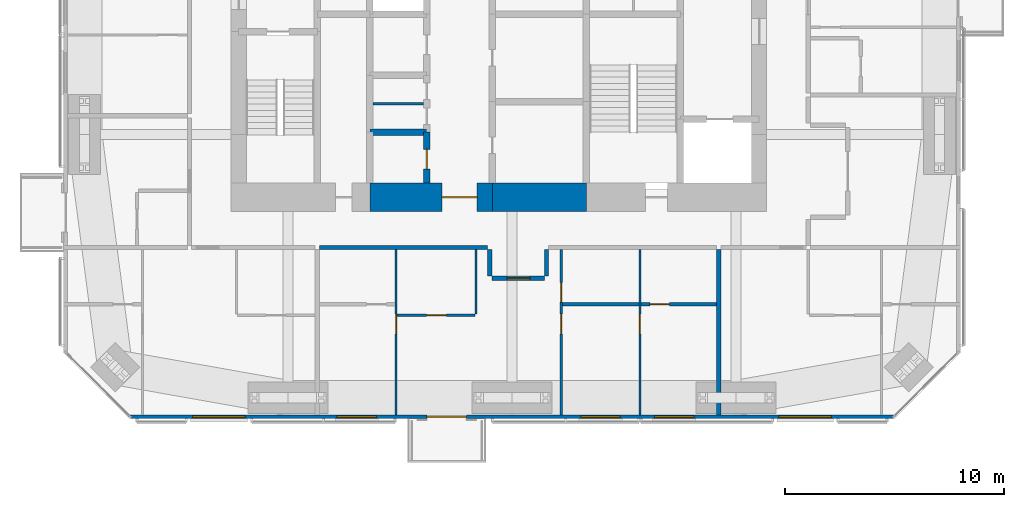
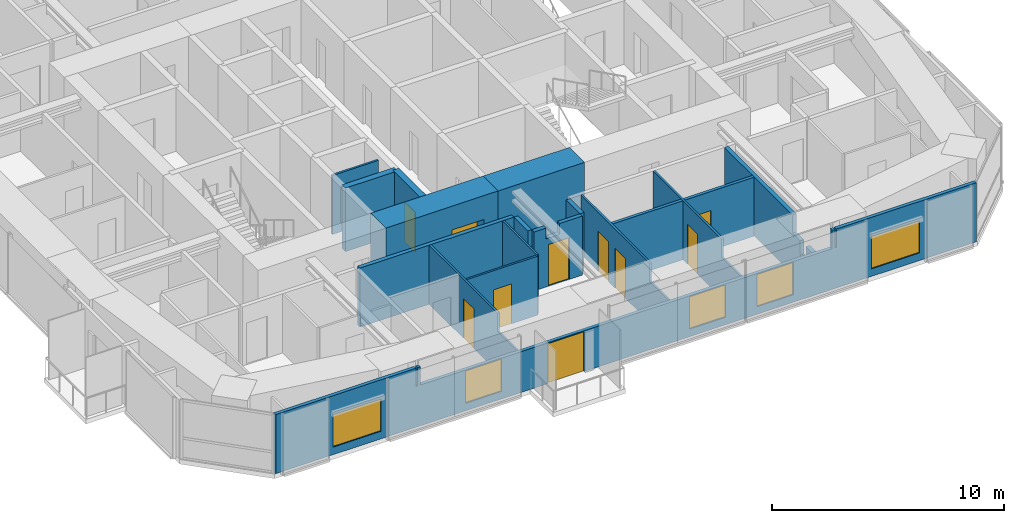
# One storey, part 17 of 23: 18 walls, 10 doors, 5 windows, 15 openings.
"""IFC4 building model written with IfcOpenShell, lengths in metres."""

from ifc_helpers import new_model, si_unit, direction, frame, frame_2d, origin, place, context, subcontext, project, spatial, polyline, rectangle, outline, extrude, material, layer, layer_set, constituent, constituent_set, type_object, element, fill, save


model = new_model("IFC4")

# Units and contexts
model_context = context("Model", 3, precision=1e-05, world=origin(), true_north=direction((0.0, 1.0)))
body_context = subcontext(model_context, "Body", "Model", "MODEL_VIEW")
ifc_project = project(units=[si_unit("LENGTHUNIT", "METRE"), si_unit("AREAUNIT", "SQUARE_METRE"), si_unit("VOLUMEUNIT", "CUBIC_METRE"), si_unit("PLANEANGLEUNIT", "RADIAN"), si_unit("MASSUNIT", "GRAM", prefix="KILO")], contexts=[model_context])

# Site, building, storey
site_placement = place(None, origin())
site = spatial("IfcSite", under=ifc_project, at=site_placement, CompositionType="ELEMENT")
building_placement = place(site_placement, origin())
building = spatial("IfcBuilding", under=site, at=building_placement, Name="Jalousie Tower", CompositionType="ELEMENT")
storey_placement = place(building_placement, frame((0.0, 0.0, 181.14990234375)))
storey = spatial("IfcBuildingStorey", under=building, at=storey_placement, Name="L49", CompositionType="ELEMENT", Elevation=181.14990234375)

# Wall
ifc_material_1 = material(Name="Concrete block ASTM C90", Category="concrete")
ifc_constituent_1 = constituent(ifc_material_1, Name="Body")
ifc_material_2 = material(Name="Render")
ifc_constituent_2 = constituent(ifc_material_2, Name="Finish")
ifc_constituent_set_1 = constituent_set(constituents=[ifc_constituent_1, ifc_constituent_2])
wall_type_1 = type_object("IfcWallType", Name="BATHROOM WALL 150", PredefinedType="PLUMBINGWALL", material=ifc_constituent_set_1)
wall_1_placement = place(storey_placement, frame((34.800048828125, 5.22509765625, 0.0), z_axis=(0.0, 0.0, 1.0), x_axis=(1.0, 0.0, 0.0)))
element("IfcWall", 1, at=wall_1_placement, inside=storey, type_object=wall_type_1, Name="Bathroom Wall 150 L49", PredefinedType="PLUMBINGWALL", context=body_context, shape_type="SweptSolid", body=[
    extrude(rectangle(XDim=3.5, YDim=0.14990234375, at=frame_2d((1.75, 0.0))), origin(), (0.0, 0.0, 1.0), 3.110107421875),
])

# Wall, opening, door
wall_2_placement = place(storey_placement, frame((38.39990234375, 5.22509765625, 0.0), z_axis=(0.0, 0.0, 1.0), x_axis=(1.0, 0.0, 0.0)))
wall_2 = element("IfcWall", 2, at=wall_2_placement, inside=storey, type_object=wall_type_1, Name="Bathroom Wall 150 L49", PredefinedType="PLUMBINGWALL", context=body_context, shape_type="SweptSolid", body=[
    extrude(rectangle(XDim=3.4501953125, YDim=0.14990234375, at=frame_2d((1.72509765625, 0.0))), origin(), (0.0, 0.0, 1.0), 3.110107421875),
])
opening_1_placement = place(wall_2_placement, frame((0.39990234375, 0.0, 0.0)))
opening_1 = element("IfcOpeningElement", 3, at=opening_1_placement, cuts=wall_2, Name="Opening D3", PredefinedType="OPENING", context=body_context, shape_type="SweptSolid", body=[
    extrude(rectangle(XDim=0.89990234375, YDim=2.10009765625, at=frame_2d((0.449951171875, 1.050048828125))), frame((0.0, 0.0849609375, 0.0), z_axis=(0.0, -1.0, 0.0), x_axis=(1.0, 0.0, 0.0)), (0.0, 0.0, 1.0), 0.169921875),
])
ifc_material_3 = material(Name="Timber door", Category="wood")
door_type_1 = type_object("IfcDoorType", Name="BATHROOM DOOR 900", OperationType="SINGLE_SWING_LEFT", PredefinedType="DOOR", material=ifc_material_3)
door_1_placement = place(opening_1_placement, origin())
door_1 = element("IfcDoor", 4, at=door_1_placement, inside=storey, type_object=door_type_1, Name="Apartment 4902 bedroom 3 bathroom door", OperationType="SINGLE_SWING_LEFT", OverallHeight=2.10009765625, OverallWidth=0.89990234375, PredefinedType="DOOR", context=body_context, shape_type="SweptSolid", body=[
    extrude(rectangle(XDim=0.89990234375, YDim=2.10009765625, at=frame_2d((0.449951171875, 1.050048828125))), frame((0.0, 0.02490234375, 0.0), z_axis=(0.0, -1.0, 0.0), x_axis=(1.0, 0.0, 0.0)), (0.0, 0.0, 1.0), 0.050048828125),
])
fill(opening_1, door_1)

ifc_material_4 = material(Name="Concrete f'c 120 MPa", Category="concrete")
ifc_layer_1 = layer(ifc_material_4, 1.300048828125)
ifc_layer_set_1 = layer_set([ifc_layer_1], Name="Concrete f'c 120 MPa")
wall_type_2 = type_object("IfcWallType", Name="CORE WALL 1300", PredefinedType="SHEAR", material=ifc_layer_set_1)
wall_3_placement = place(storey_placement, frame((26.0, 10.125, 0.0), z_axis=(0.0, 0.0, 1.0), x_axis=(1.0, 0.0, 0.0)))
wall_3 = element("IfcWall", 5, at=wall_3_placement, inside=storey, type_object=wall_type_2, Name="Core wall SB L49", PredefinedType="SHEAR", context=body_context, shape_type="SweptSolid", body=[
    extrude(rectangle(XDim=5.60009765625, YDim=1.300048828125, at=frame_2d((2.800048828125, 0.0))), origin(), (0.0, 0.0, 1.0), 3.35009765625),
])
opening_2_placement = place(wall_3_placement, frame((3.300048828125, 0.0, 0.0)))
opening_2 = element("IfcOpeningElement", 6, at=opening_2_placement, cuts=wall_3, Name="Opening D15", PredefinedType="OPENING", context=body_context, shape_type="SweptSolid", body=[
    extrude(rectangle(XDim=1.60009765625, YDim=2.10009765625, at=frame_2d((0.800048828125, 1.050048828125))), frame((0.0, 0.659912109375, 0.0), z_axis=(0.0, -1.0, 0.0), x_axis=(1.0, 0.0, 0.0)), (0.0, 0.0, 1.0), 1.320068359375),
])
ifc_material_5 = material(Name="Steel fire door", Category="steel")
door_type_2 = type_object("IfcDoorType", Name="LIFT LOBBY DOOR 1600", OperationType="DOUBLE_DOOR_SINGLE_SWING", PredefinedType="DOOR", material=ifc_material_5)
door_2_placement = place(opening_2_placement, origin())
door_2 = element("IfcDoor", 7, at=door_2_placement, inside=storey, type_object=door_type_2, Name="Lift lobby south door", OperationType="DOUBLE_DOOR_SINGLE_SWING", OverallHeight=2.10009765625, OverallWidth=1.60009765625, PredefinedType="DOOR", context=body_context, shape_type="SweptSolid", body=[
    extrude(rectangle(XDim=1.60009765625, YDim=2.10009765625, at=frame_2d((0.800048828125, 1.050048828125))), frame((0.0, 0.02490234375, 0.0), z_axis=(0.0, -1.0, 0.0), x_axis=(1.0, 0.0, 0.0)), (0.0, 0.0, 1.0), 0.050048828125),
])
fill(opening_2, door_2)

# Wall
wall_4_placement = place(storey_placement, frame((31.60009765625, 10.125, 0.0), z_axis=(0.0, 0.0, 1.0), x_axis=(1.0, 0.0, 0.0)))
element("IfcWall", 8, at=wall_4_placement, inside=storey, type_object=wall_type_2, Name="Core wall SC L49", PredefinedType="SHEAR", context=body_context, shape_type="SweptSolid", body=[
    extrude(rectangle(XDim=4.2998046875, YDim=1.300048828125, at=frame_2d((2.14990234375, 0.0))), origin(), (0.0, 0.0, 1.0), 3.35009765625),
])

# Wall, opening, door
ifc_material_6 = material(Name="Concrete f'c 120 MPa", Category="concrete")
ifc_layer_2 = layer(ifc_material_6, 0.300048828125)
ifc_layer_set_2 = layer_set([ifc_layer_2], Name="Concrete f'c 120 MPa")
wall_type_3 = type_object("IfcWallType", Name="CORE WALL 300", PredefinedType="SHEAR", material=ifc_layer_set_2)
wall_5_placement = place(storey_placement, frame((28.60009765625, 10.77490234375, 0.0), z_axis=(0.0, 0.0, 1.0), x_axis=(0.0, 1.0, 0.0)))
wall_5 = element("IfcWall", 9, at=wall_5_placement, inside=storey, type_object=wall_type_3, Name="Core wall X28.6A L49", PredefinedType="SHEAR", context=body_context, shape_type="SweptSolid", body=[
    extrude(rectangle(XDim=2.3251953125, YDim=0.300048828125, at=frame_2d((1.16259765625, 0.0))), origin(), (0.0, 0.0, 1.0), 3.35009765625),
])
opening_3_placement = place(wall_5_placement, frame((0.637451171875, 0.0, 0.0)))
opening_3 = element("IfcOpeningElement", 10, at=opening_3_placement, cuts=wall_5, Name="Opening D24", PredefinedType="OPENING", context=body_context, shape_type="SweptSolid", body=[
    extrude(rectangle(XDim=0.89990234375, YDim=2.10009765625, at=frame_2d((0.449951171875, 1.050048828125))), frame((0.0, 0.159912109375, 0.0), z_axis=(0.0, -1.0, 0.0), x_axis=(1.0, 0.0, 0.0)), (0.0, 0.0, 1.0), 0.320068359375),
])
ifc_material_7 = material(Name="Steel fire door", Category="steel")
door_type_3 = type_object("IfcDoorType", Name="CORE ROOM DOOR 900", OperationType="SINGLE_SWING_LEFT", PredefinedType="DOOR", material=ifc_material_7)
door_3_placement = place(opening_3_placement, origin())
door_3 = element("IfcDoor", 11, at=door_3_placement, inside=storey, type_object=door_type_3, Name="Housekeeping store door", OperationType="SINGLE_SWING_RIGHT", OverallHeight=2.10009765625, OverallWidth=0.89990234375, PredefinedType="DOOR", context=body_context, shape_type="SweptSolid", body=[
    extrude(rectangle(XDim=0.89990234375, YDim=2.10009765625, at=frame_2d((0.449951171875, 1.050048828125))), frame((0.0, 0.02490234375, 0.0), z_axis=(0.0, -1.0, 0.0), x_axis=(1.0, 0.0, 0.0)), (0.0, 0.0, 1.0), 0.050048828125),
])
fill(opening_3, door_3)

# Walls
wall_6_placement = place(storey_placement, frame((26.0, 13.10009765625, 0.0), z_axis=(0.0, 0.0, 1.0), x_axis=(1.0, 0.0, 0.0)))
element("IfcWall", 12, at=wall_6_placement, inside=storey, type_object=wall_type_3, Name="Core wall Y26-13.1 L49", PredefinedType="SHEAR", context=body_context, shape_type="SweptSolid", body=[
    extrude(rectangle(XDim=2.60009765625, YDim=0.300048828125, at=frame_2d((1.300048828125, 0.0))), origin(), (0.0, 0.0, 1.0), 3.35009765625),
])
ifc_material_8 = material(Name="Concrete block ASTM C90", Category="concrete")
ifc_constituent_3 = constituent(ifc_material_8, Name="Body")
ifc_material_9 = material(Name="Render")
ifc_constituent_4 = constituent(ifc_material_9, Name="Finish")
ifc_constituent_set_2 = constituent_set(constituents=[ifc_constituent_3, ifc_constituent_4])
wall_type_4 = type_object("IfcWallType", Name="CORRIDOR WALL 200", PredefinedType="PARTITIONING", material=ifc_constituent_set_2)
wall_7_placement = place(storey_placement, frame((23.699951171875, 7.824951171875, 0.0), z_axis=(0.0, 0.0, 1.0), x_axis=(1.0, 0.0, 0.0)))
element("IfcWall", 13, at=wall_7_placement, inside=storey, type_object=wall_type_4, Name="Corridor Wall 200 L49", PredefinedType="PARTITIONING", context=body_context, shape_type="SweptSolid", body=[
    extrude(rectangle(XDim=7.675048828125, YDim=0.199951171875, at=frame_2d((3.83740234375, 0.0))), origin(), (0.0, 0.0, 1.0), 3.110107421875),
])

# Wall, opening, door
wall_8_placement = place(storey_placement, frame((31.574951171875, 6.425048828125, 0.0), z_axis=(0.0, 0.0, 1.0), x_axis=(1.0, 0.0, 0.0)))
wall_8 = element("IfcWall", 14, at=wall_8_placement, inside=storey, type_object=wall_type_4, Name="Corridor Wall 200 L49", PredefinedType="PARTITIONING", context=body_context, shape_type="SweptSolid", body=[
    extrude(outline(polyline([(0.0, 0.0), (2.400146484375, 0.0), (2.39990234375, 3.110107421875), (1.26220703125, 3.110107421875), (1.26220703125, 2.541015625), (0.587646484375, 2.541015625), (0.587646484375, 3.110107421875), (0.0, 3.110107421875), (0.0, 0.0)])), frame((0.0, 0.10009765625, 0.0), z_axis=(0.0, -1.0, 0.0), x_axis=(1.0, 0.0, 0.0)), (0.0, 0.0, 1.0), 0.199951171875),
])
opening_4_placement = place(wall_8_placement, frame((0.699951171875, 0.0, 0.0)))
opening_4 = element("IfcOpeningElement", 15, at=opening_4_placement, cuts=wall_8, Name="Opening D1", PredefinedType="OPENING", context=body_context, shape_type="SweptSolid", body=[
    extrude(rectangle(XDim=1.050048828125, YDim=2.199951171875, at=frame_2d((0.52490234375, 1.10009765625))), frame((0.0, 0.10986328125, 0.0), z_axis=(0.0, -1.0, 0.0), x_axis=(1.0, 0.0, 0.0)), (0.0, 0.0, 1.0), 0.219970703125),
])
ifc_material_10 = material(Name="Timber fire door", Category="wood")
door_type_4 = type_object("IfcDoorType", Name="APARTMENT ENTRANCE DOOR 1050", OperationType="SINGLE_SWING_LEFT", PredefinedType="DOOR", material=ifc_material_10)
door_4_placement = place(opening_4_placement, frame((1.050048828125, 0.0, 0.0), z_axis=(0.0, 0.0, 1.0), x_axis=(-1.0, 0.0, 0.0)))
door_4 = element("IfcDoor", 16, at=door_4_placement, inside=storey, type_object=door_type_4, Name="Apartment 4902 entrance", OperationType="SINGLE_SWING_RIGHT", OverallHeight=2.199951171875, OverallWidth=1.050048828125, PredefinedType="DOOR", context=body_context, shape_type="SweptSolid", body=[
    extrude(rectangle(XDim=1.050048828125, YDim=2.199951171875, at=frame_2d((0.52490234375, 1.10009765625))), frame((0.0, 0.02490234375, 0.0), z_axis=(0.0, -1.0, 0.0), x_axis=(1.0, 0.0, 0.0)), (0.0, 0.0, 1.0), 0.050048828125),
])
fill(opening_4, door_4)

# Walls
for number, where, z_axis, x_axis, name in (
    (17, (31.47509765625, 7.72509765625, 0.0), (0.0, 0.0, 1.0), (0.0, -1.0, 0.0), "Corridor Wall 200 L49"),
    (18, (34.074951171875, 7.72509765625, 0.0), (0.0, 0.0, 1.0), (0.0, -1.0, 0.0), "Corridor Wall 200 L49"),
):
    element("IfcWall", number, at=place(storey_placement, frame(where, z_axis=z_axis, x_axis=x_axis)), inside=storey, type_object=wall_type_4, Name=name, PredefinedType="PARTITIONING", context=body_context, shape_type="SweptSolid", body=[
        extrude(rectangle(XDim=1.2001953125, YDim=0.199951171875, at=frame_2d((0.60009765625, 0.0))), origin(), (0.0, 0.0, 1.0), 3.110107421875),
    ])

# Wall, openings, door, windows
ifc_material_11 = material(Name="Concrete f'c 40 MPa", Category="concrete")
ifc_constituent_5 = constituent(ifc_material_11, Name="Body")
ifc_material_12 = material(Name="Render, pastel lemon")
ifc_constituent_6 = constituent(ifc_material_12, Name="Finish")
ifc_constituent_set_3 = constituent_set(constituents=[ifc_constituent_5, ifc_constituent_6])
wall_type_5 = type_object("IfcWallType", Name="EXTERNAL WALL 175 LEMON RENDER", PredefinedType="SOLIDWALL", material=ifc_constituent_set_3)
wall_9_placement = place(storey_placement, frame((15.05126953125, 0.08740234375, 0.0), z_axis=(0.0, 0.0, 1.0), x_axis=(1.0, 0.0, 0.0)))
wall_9 = element("IfcWall", 19, at=wall_9_placement, inside=storey, type_object=wall_type_5, Name="External Wall 175 Lemon Render L49", PredefinedType="SOLIDWALL", context=body_context, shape_type="SweptSolid", body=[
    extrude(outline(polyline([(0.0, 0.0), (34.8974609375, 0.0), (34.8974609375, 3.110107421875), (27.91015625, 3.110107421875), (27.91015625, 2.150146484375), (27.8359375, 2.150146484375), (27.8359375, 3.110107421875), (27.69873046875, 3.110107421875), (27.69873046875, 2.150146484375), (7.19873046875, 2.150146484375), (7.19873046875, 3.110107421875), (7.0615234375, 3.110107421875), (7.0615234375, 2.150146484375), (6.9873046875, 2.150146484375), (6.9873046875, 3.110107421875), (0.0, 3.110107421875), (0.0, 0.0)])), frame((0.0, 0.08740234375, 0.0), z_axis=(0.0, -1.0, 0.0), x_axis=(1.0, 0.0, 0.0)), (0.0, 0.0, 1.0), 0.175048828125),
])
opening_5_placement = place(wall_9_placement, frame((2.8486328125, 0.0, 0.39990234375)))
opening_5 = element("IfcOpeningElement", 20, at=opening_5_placement, cuts=wall_9, Name="Opening W-LIV170", PredefinedType="OPENING", context=body_context, shape_type="SweptSolid", body=[
    extrude(rectangle(XDim=2.39990234375, YDim=1.699951171875, at=frame_2d((1.199951171875, 0.85009765625))), frame((0.0, 0.097412109375, 0.0), z_axis=(0.0, -1.0, 0.0), x_axis=(1.0, 0.0, 0.0)), (0.0, 0.0, 1.0), 0.195068359375),
])
opening_6_placement = place(wall_9_placement, frame((9.44873046875, 0.0, 0.39990234375)))
opening_6 = element("IfcOpeningElement", 21, at=opening_6_placement, cuts=wall_9, Name="Opening W-BED170", PredefinedType="OPENING", context=body_context, shape_type="SweptSolid", body=[
    extrude(rectangle(XDim=1.800048828125, YDim=1.699951171875, at=frame_2d((0.89990234375, 0.85009765625))), frame((0.0, 0.097412109375, 0.0), z_axis=(0.0, -1.0, 0.0), x_axis=(1.0, 0.0, 0.0)), (0.0, 0.0, 1.0), 0.195068359375),
])
opening_7_placement = place(wall_9_placement, frame((13.561279296875, 0.0, 0.0)))
opening_7 = element("IfcOpeningElement", 22, at=opening_7_placement, cuts=wall_9, Name="Opening D-BAL21", PredefinedType="OPENING", context=body_context, shape_type="SweptSolid", body=[
    extrude(rectangle(XDim=1.800048828125, YDim=2.10009765625, at=frame_2d((0.89990234375, 1.050048828125))), frame((0.0, 0.097412109375, 0.0), z_axis=(0.0, -1.0, 0.0), x_axis=(1.0, 0.0, 0.0)), (0.0, 0.0, 1.0), 0.195068359375),
])
opening_8_placement = place(wall_9_placement, frame((20.5986328125, 0.0, 0.39990234375)))
opening_8 = element("IfcOpeningElement", 23, at=opening_8_placement, cuts=wall_9, Name="Opening W-BED170", PredefinedType="OPENING", context=body_context, shape_type="SweptSolid", body=[
    extrude(rectangle(XDim=1.800048828125, YDim=1.699951171875, at=frame_2d((0.89990234375, 0.85009765625))), frame((0.0, 0.097412109375, 0.0), z_axis=(0.0, -1.0, 0.0), x_axis=(1.0, 0.0, 0.0)), (0.0, 0.0, 1.0), 0.195068359375),
])
opening_9_placement = place(wall_9_placement, frame((23.9736328125, 0.0, 0.39990234375)))
opening_9 = element("IfcOpeningElement", 24, at=opening_9_placement, cuts=wall_9, Name="Opening W-BED170", PredefinedType="OPENING", context=body_context, shape_type="SweptSolid", body=[
    extrude(rectangle(XDim=1.800048828125, YDim=1.699951171875, at=frame_2d((0.89990234375, 0.85009765625))), frame((0.0, 0.097412109375, 0.0), z_axis=(0.0, -1.0, 0.0), x_axis=(1.0, 0.0, 0.0)), (0.0, 0.0, 1.0), 0.195068359375),
])
opening_10_placement = place(wall_9_placement, frame((29.65869140625, 0.0, 0.39990234375)))
opening_10 = element("IfcOpeningElement", 25, at=opening_10_placement, cuts=wall_9, Name="Opening W-LIV170", PredefinedType="OPENING", context=body_context, shape_type="SweptSolid", body=[
    extrude(rectangle(XDim=2.39990234375, YDim=1.699951171875, at=frame_2d((1.199951171875, 0.85009765625))), frame((0.0, 0.097412109375, 0.0), z_axis=(0.0, -1.0, 0.0), x_axis=(1.0, 0.0, 0.0)), (0.0, 0.0, 1.0), 0.195068359375),
])
ifc_material_13 = material(Name="Aluminium frame, impact-rated glazing", Category="aluminium")
door_type_5 = type_object("IfcDoorType", Name="BALCONY DOOR 1800x2100", OperationType="SLIDING_TO_LEFT", PredefinedType="DOOR", material=ifc_material_13)
door_5_placement = place(opening_7_placement, origin())
door_5 = element("IfcDoor", 26, at=door_5_placement, inside=storey, type_object=door_type_5, Name="Apartment 4902 living and dining room balcony door", OperationType="SLIDING_TO_LEFT", OverallHeight=2.10009765625, OverallWidth=1.800048828125, PredefinedType="DOOR", context=body_context, shape_type="SweptSolid", body=[
    extrude(rectangle(XDim=1.800048828125, YDim=2.10009765625, at=frame_2d((0.89990234375, 1.050048828125))), frame((0.0, 0.02490234375, 0.0), z_axis=(0.0, -1.0, 0.0), x_axis=(1.0, 0.0, 0.0)), (0.0, 0.0, 1.0), 0.050048828125),
])
fill(opening_7, door_5)
ifc_material_14 = material(Name="Aluminium frame, impact-rated glazing", Category="aluminium")
window_type_1 = type_object("IfcWindowType", Name="WINDOW BED 1800x1700", PartitioningType="SINGLE_PANEL", PredefinedType="WINDOW", material=ifc_material_14)
window_1_placement = place(opening_6_placement, origin())
window_1 = element("IfcWindow", 27, at=window_1_placement, inside=storey, type_object=window_type_1, Name="Apartment 4902 bedroom 1 window", OverallHeight=1.699951171875, OverallWidth=1.800048828125, PartitioningType="SINGLE_PANEL", PredefinedType="WINDOW", context=body_context, shape_type="SweptSolid", body=[
    extrude(rectangle(XDim=1.800048828125, YDim=1.699951171875, at=frame_2d((0.89990234375, 0.85009765625))), frame((0.0, 0.030029296875, 0.0), z_axis=(0.0, -1.0, 0.0), x_axis=(1.0, 0.0, 0.0)), (0.0, 0.0, 1.0), 0.06005859375),
])
fill(opening_6, window_1)
window_2_placement = place(opening_8_placement, origin())
window_2 = element("IfcWindow", 28, at=window_2_placement, inside=storey, type_object=window_type_1, Name="Apartment 4902 bedroom 2 window", OverallHeight=1.699951171875, OverallWidth=1.800048828125, PartitioningType="SINGLE_PANEL", PredefinedType="WINDOW", context=body_context, shape_type="SweptSolid", body=[
    extrude(rectangle(XDim=1.800048828125, YDim=1.699951171875, at=frame_2d((0.89990234375, 0.85009765625))), frame((0.0, 0.030029296875, 0.0), z_axis=(0.0, -1.0, 0.0), x_axis=(1.0, 0.0, 0.0)), (0.0, 0.0, 1.0), 0.06005859375),
])
fill(opening_8, window_2)
window_3_placement = place(opening_9_placement, origin())
window_3 = element("IfcWindow", 29, at=window_3_placement, inside=storey, type_object=window_type_1, Name="Apartment 4902 bedroom 3 window", OverallHeight=1.699951171875, OverallWidth=1.800048828125, PartitioningType="SINGLE_PANEL", PredefinedType="WINDOW", context=body_context, shape_type="SweptSolid", body=[
    extrude(rectangle(XDim=1.800048828125, YDim=1.699951171875, at=frame_2d((0.89990234375, 0.85009765625))), frame((0.0, 0.030029296875, 0.0), z_axis=(0.0, -1.0, 0.0), x_axis=(1.0, 0.0, 0.0)), (0.0, 0.0, 1.0), 0.06005859375),
])
fill(opening_9, window_3)
ifc_material_15 = material(Name="Aluminium frame, impact-rated glazing", Category="aluminium")
window_type_2 = type_object("IfcWindowType", Name="WINDOW LIV 2400x1700", PartitioningType="DOUBLE_PANEL_VERTICAL", PredefinedType="WINDOW", material=ifc_material_15)
window_4_placement = place(opening_5_placement, origin())
window_4 = element("IfcWindow", 30, at=window_4_placement, inside=storey, type_object=window_type_2, Name="Apartment 4901 living and dining room window", OverallHeight=1.699951171875, OverallWidth=2.39990234375, PartitioningType="SINGLE_PANEL", PredefinedType="WINDOW", context=body_context, shape_type="SweptSolid", body=[
    extrude(rectangle(XDim=2.39990234375, YDim=1.699951171875, at=frame_2d((1.199951171875, 0.85009765625))), frame((0.0, 0.030029296875, 0.0), z_axis=(0.0, -1.0, 0.0), x_axis=(1.0, 0.0, 0.0)), (0.0, 0.0, 1.0), 0.06005859375),
])
fill(opening_5, window_4)
window_5_placement = place(opening_10_placement, origin())
window_5 = element("IfcWindow", 31, at=window_5_placement, inside=storey, type_object=window_type_2, Name="Apartment 4903 living and dining room window", OverallHeight=1.699951171875, OverallWidth=2.39990234375, PartitioningType="SINGLE_PANEL", PredefinedType="WINDOW", context=body_context, shape_type="SweptSolid", body=[
    extrude(rectangle(XDim=2.39990234375, YDim=1.699951171875, at=frame_2d((1.199951171875, 0.85009765625))), frame((0.0, 0.030029296875, 0.0), z_axis=(0.0, -1.0, 0.0), x_axis=(1.0, 0.0, 0.0)), (0.0, 0.0, 1.0), 0.06005859375),
])
fill(opening_10, window_5)

# Wall, opening, door
ifc_material_16 = material(Name="Gypsum board", Category="gypsum")
ifc_constituent_7 = constituent(ifc_material_16, Name="Body")
ifc_material_17 = material(Name="Light-gauge steel studs ASTM A653 SS Grade 33", Category="steel")
ifc_constituent_8 = constituent(ifc_material_17, Name="Framing")
ifc_constituent_set_4 = constituent_set(constituents=[ifc_constituent_7, ifc_constituent_8])
wall_type_6 = type_object("IfcWallType", Name="PARTITION 100", PredefinedType="PARTITIONING", material=ifc_constituent_set_4)
wall_10_placement = place(storey_placement, frame((27.199951171875, 0.175048828125, 0.0), z_axis=(0.0, 0.0, 1.0), x_axis=(0.0, 1.0, 0.0)))
wall_10 = element("IfcWall", 32, at=wall_10_placement, inside=storey, type_object=wall_type_6, Name="Partition 100 L49", PredefinedType="PARTITIONING", context=body_context, shape_type="SweptSolid", body=[
    extrude(outline(polyline([(0.0, 0.0), (7.550048828125, 0.0), (7.550048828125, 3.110107421875), (1.635009765625, 3.110107421875), (1.635009765625, 2.150146484375), (0.0, 2.150146484375), (0.0, 3.110107421875), (0.0, 0.0)])), frame((0.0, 0.050048828125, 0.0), z_axis=(0.0, -1.0, 0.0), x_axis=(1.0, 0.0, 0.0)), (0.0, 0.0, 1.0), 0.10009765625),
])
opening_11_placement = place(wall_10_placement, frame((3.699951171875, 0.0, 0.0)))
opening_11 = element("IfcOpeningElement", 33, at=opening_11_placement, cuts=wall_10, Name="Opening D2", PredefinedType="OPENING", context=body_context, shape_type="SweptSolid", body=[
    extrude(rectangle(XDim=0.89990234375, YDim=2.10009765625, at=frame_2d((0.449951171875, 1.050048828125))), frame((0.0, 0.06005859375, 0.0), z_axis=(0.0, -1.0, 0.0), x_axis=(1.0, 0.0, 0.0)), (0.0, 0.0, 1.0), 0.1201171875),
])
ifc_material_18 = material(Name="Timber door", Category="wood")
door_type_6 = type_object("IfcDoorType", Name="BEDROOM DOOR 900", OperationType="SINGLE_SWING_LEFT", PredefinedType="DOOR", material=ifc_material_18)
door_6_placement = place(opening_11_placement, origin())
door_6 = element("IfcDoor", 34, at=door_6_placement, inside=storey, type_object=door_type_6, Name="Apartment 4902 bedroom 1 door", OperationType="SINGLE_SWING_RIGHT", OverallHeight=2.10009765625, OverallWidth=0.89990234375, PredefinedType="DOOR", context=body_context, shape_type="SweptSolid", body=[
    extrude(rectangle(XDim=0.89990234375, YDim=2.10009765625, at=frame_2d((0.449951171875, 1.050048828125))), frame((0.0, 0.02490234375, 0.0), z_axis=(0.0, -1.0, 0.0), x_axis=(1.0, 0.0, 0.0)), (0.0, 0.0, 1.0), 0.050048828125),
])
fill(opening_11, door_6)

# Wall, openings, doors
wall_11_placement = place(storey_placement, frame((34.75, 0.175048828125, 0.0), z_axis=(0.0, 0.0, 1.0), x_axis=(0.0, 1.0, 0.0)))
wall_11 = element("IfcWall", 35, at=wall_11_placement, inside=storey, type_object=wall_type_6, Name="Partition 100 L49", PredefinedType="PARTITIONING", context=body_context, shape_type="SweptSolid", body=[
    extrude(outline(polyline([(0.0, 0.0), (7.550048828125, 0.0), (7.550048828125, 3.110107421875), (1.635009765625, 3.110107421875), (1.635009765625, 2.150146484375), (0.0, 2.150146484375), (0.0, 3.110107421875), (0.0, 0.0)])), frame((0.0, 0.050048828125, 0.0), z_axis=(0.0, -1.0, 0.0), x_axis=(1.0, 0.0, 0.0)), (0.0, 0.0, 1.0), 0.10009765625),
])
opening_12_placement = place(wall_11_placement, frame((3.699951171875, 0.0, 0.0)))
opening_12 = element("IfcOpeningElement", 36, at=opening_12_placement, cuts=wall_11, Name="Opening D2", PredefinedType="OPENING", context=body_context, shape_type="SweptSolid", body=[
    extrude(rectangle(XDim=0.89990234375, YDim=2.10009765625, at=frame_2d((0.449951171875, 1.050048828125))), frame((0.0, 0.06005859375, 0.0), z_axis=(0.0, -1.0, 0.0), x_axis=(1.0, 0.0, 0.0)), (0.0, 0.0, 1.0), 0.1201171875),
])
opening_13_placement = place(wall_11_placement, frame((5.14990234375, 0.0, 0.0)))
opening_13 = element("IfcOpeningElement", 37, at=opening_13_placement, cuts=wall_11, Name="Opening D7", PredefinedType="OPENING", context=body_context, shape_type="SweptSolid", body=[
    extrude(rectangle(XDim=0.89990234375, YDim=2.10009765625, at=frame_2d((0.449951171875, 1.050048828125))), frame((0.0, 0.06005859375, 0.0), z_axis=(0.0, -1.0, 0.0), x_axis=(1.0, 0.0, 0.0)), (0.0, 0.0, 1.0), 0.1201171875),
])
door_7_placement = place(opening_12_placement, frame((0.89990234375, 0.0, 0.0), z_axis=(0.0, 0.0, 1.0), x_axis=(-1.0, 0.0, 0.0)))
door_7 = element("IfcDoor", 38, at=door_7_placement, inside=storey, type_object=door_type_6, Name="Apartment 4902 bedroom 2 door", OperationType="SINGLE_SWING_LEFT", OverallHeight=2.10009765625, OverallWidth=0.89990234375, PredefinedType="DOOR", context=body_context, shape_type="SweptSolid", body=[
    extrude(rectangle(XDim=0.89990234375, YDim=2.10009765625, at=frame_2d((0.449951171875, 1.050048828125))), frame((0.0, 0.02490234375, 0.0), z_axis=(0.0, -1.0, 0.0), x_axis=(1.0, 0.0, 0.0)), (0.0, 0.0, 1.0), 0.050048828125),
])
fill(opening_12, door_7)
ifc_material_19 = material(Name="Timber door", Category="wood")
door_type_7 = type_object("IfcDoorType", Name="INTERNAL DOOR 900", OperationType="SINGLE_SWING_LEFT", PredefinedType="DOOR", material=ifc_material_19)
door_8_placement = place(opening_13_placement, frame((0.89990234375, 0.0, 0.0), z_axis=(0.0, 0.0, 1.0), x_axis=(-1.0, 0.0, 0.0)))
door_8 = element("IfcDoor", 39, at=door_8_placement, inside=storey, type_object=door_type_7, Name="Apartment 4902 bathroom door", OperationType="SINGLE_SWING_RIGHT", OverallHeight=2.10009765625, OverallWidth=0.89990234375, PredefinedType="DOOR", context=body_context, shape_type="SweptSolid", body=[
    extrude(rectangle(XDim=0.89990234375, YDim=2.10009765625, at=frame_2d((0.449951171875, 1.050048828125))), frame((0.0, 0.02490234375, 0.0), z_axis=(0.0, -1.0, 0.0), x_axis=(1.0, 0.0, 0.0)), (0.0, 0.0, 1.0), 0.050048828125),
])
fill(opening_13, door_8)

# Wall, opening, door
wall_12_placement = place(storey_placement, frame((38.35009765625, 0.175048828125, 0.0), z_axis=(0.0, 0.0, 1.0), x_axis=(0.0, 1.0, 0.0)))
wall_12 = element("IfcWall", 40, at=wall_12_placement, inside=storey, type_object=wall_type_6, Name="Partition 100 L49", PredefinedType="PARTITIONING", context=body_context, shape_type="SweptSolid", body=[
    extrude(outline(polyline([(0.0, 0.0), (7.550048828125, 0.0), (7.550048828125, 3.110107421875), (1.635009765625, 3.110107421875), (1.635009765625, 2.150146484375), (0.0, 2.150146484375), (0.0, 3.110107421875), (0.0, 0.0)])), frame((0.0, 0.050048828125, 0.0), z_axis=(0.0, -1.0, 0.0), x_axis=(1.0, 0.0, 0.0)), (0.0, 0.0, 1.0), 0.10009765625),
])
opening_14_placement = place(wall_12_placement, frame((3.699951171875, 0.0, 0.0)))
opening_14 = element("IfcOpeningElement", 41, at=opening_14_placement, cuts=wall_12, Name="Opening D2", PredefinedType="OPENING", context=body_context, shape_type="SweptSolid", body=[
    extrude(rectangle(XDim=0.89990234375, YDim=2.10009765625, at=frame_2d((0.449951171875, 1.050048828125))), frame((0.0, 0.06005859375, 0.0), z_axis=(0.0, -1.0, 0.0), x_axis=(1.0, 0.0, 0.0)), (0.0, 0.0, 1.0), 0.1201171875),
])
door_9_placement = place(opening_14_placement, origin())
door_9 = element("IfcDoor", 42, at=door_9_placement, inside=storey, type_object=door_type_6, Name="Apartment 4902 bedroom 3 door", OperationType="SINGLE_SWING_RIGHT", OverallHeight=2.10009765625, OverallWidth=0.89990234375, PredefinedType="DOOR", context=body_context, shape_type="SweptSolid", body=[
    extrude(rectangle(XDim=0.89990234375, YDim=2.10009765625, at=frame_2d((0.449951171875, 1.050048828125))), frame((0.0, 0.02490234375, 0.0), z_axis=(0.0, -1.0, 0.0), x_axis=(1.0, 0.0, 0.0)), (0.0, 0.0, 1.0), 0.050048828125),
])
fill(opening_14, door_9)

wall_13_placement = place(storey_placement, frame((27.25, 4.72509765625, 0.0), z_axis=(0.0, 0.0, 1.0), x_axis=(1.0, 0.0, 0.0)))
wall_13 = element("IfcWall", 43, at=wall_13_placement, inside=storey, type_object=wall_type_6, Name="Partition 100 L49", PredefinedType="PARTITIONING", context=body_context, shape_type="SweptSolid", body=[
    extrude(rectangle(XDim=3.550048828125, YDim=0.10009765625, at=frame_2d((1.77490234375, 0.0))), origin(), (0.0, 0.0, 1.0), 3.110107421875),
])
opening_15_placement = place(wall_13_placement, frame((1.35009765625, 0.0, 0.0)))
opening_15 = element("IfcOpeningElement", 44, at=opening_15_placement, cuts=wall_13, Name="Opening D7", PredefinedType="OPENING", context=body_context, shape_type="SweptSolid", body=[
    extrude(rectangle(XDim=0.89990234375, YDim=2.10009765625, at=frame_2d((0.449951171875, 1.050048828125))), frame((0.0, 0.06005859375, 0.0), z_axis=(0.0, -1.0, 0.0), x_axis=(1.0, 0.0, 0.0)), (0.0, 0.0, 1.0), 0.1201171875),
])
door_10_placement = place(opening_15_placement, frame((0.89990234375, 0.0, 0.0), z_axis=(0.0, 0.0, 1.0), x_axis=(-1.0, 0.0, 0.0)))
door_10 = element("IfcDoor", 45, at=door_10_placement, inside=storey, type_object=door_type_7, Name="Apartment 4902 kitchen door", OperationType="SINGLE_SWING_RIGHT", OverallHeight=2.10009765625, OverallWidth=0.89990234375, PredefinedType="DOOR", context=body_context, shape_type="SweptSolid", body=[
    extrude(rectangle(XDim=0.89990234375, YDim=2.10009765625, at=frame_2d((0.449951171875, 1.050048828125))), frame((0.0, 0.02490234375, 0.0), z_axis=(0.0, -1.0, 0.0), x_axis=(1.0, 0.0, 0.0)), (0.0, 0.0, 1.0), 0.050048828125),
])
fill(opening_15, door_10)

# Walls
wall_14_placement = place(storey_placement, frame((30.85009765625, 4.77490234375, 0.0), z_axis=(0.0, 0.0, 1.0), x_axis=(0.0, 1.0, 0.0)))
element("IfcWall", 46, at=wall_14_placement, inside=storey, type_object=wall_type_6, Name="Partition 100 L49", PredefinedType="PARTITIONING", context=body_context, shape_type="SweptSolid", body=[
    extrude(rectangle(XDim=2.9501953125, YDim=0.10009765625, at=frame_2d((1.47509765625, 0.0))), origin(), (0.0, 0.0, 1.0), 3.110107421875),
])
wall_15_placement = place(storey_placement, frame((26.14990234375, 14.39990234375, 0.0), z_axis=(0.0, 0.0, 1.0), x_axis=(1.0, 0.0, 0.0)))
element("IfcWall", 47, at=wall_15_placement, inside=storey, type_object=wall_type_6, Name="Partition 100 L49", PredefinedType="PARTITIONING", context=body_context, shape_type="SweptSolid", body=[
    extrude(rectangle(XDim=2.300048828125, YDim=0.10009765625, at=frame_2d((1.14990234375, 0.0))), origin(), (0.0, 0.0, 1.0), 3.110107421875),
])
ifc_material_20 = material(Name="Concrete block ASTM C90", Category="concrete")
ifc_constituent_9 = constituent(ifc_material_20, Name="Body")
ifc_material_21 = material(Name="Render")
ifc_constituent_10 = constituent(ifc_material_21, Name="Finish")
ifc_constituent_set_5 = constituent_set(constituents=[ifc_constituent_9, ifc_constituent_10])
wall_type_7 = type_object("IfcWallType", Name="PARTY WALL 200", PredefinedType="PARTITIONING", material=ifc_constituent_set_5)
wall_16_placement = place(storey_placement, frame((41.949951171875, 0.175048828125, 0.0), z_axis=(0.0, 0.0, 1.0), x_axis=(0.0, 1.0, 0.0)))
element("IfcWall", 48, at=wall_16_placement, inside=storey, type_object=wall_type_7, Name="Party Wall 200 L49", PredefinedType="PARTITIONING", context=body_context, shape_type="SweptSolid", body=[
    extrude(outline(polyline([(0.52880859375, 2.150146484375), (0.0, 2.150146484375), (0.0, 0.0), (0.52880859375, 0.0), (0.52880859375, 0.746337890625), (1.021240234375, 0.746337890625), (1.021240234375, 0.0), (7.550048828125, 0.0), (7.550048828125, 3.110107421875), (1.68505859375, 3.110107421875), (1.68505859375, 2.150146484375), (1.021240234375, 2.150146484375), (1.021240234375, 1.40380859375), (0.52880859375, 1.40380859375), (0.52880859375, 2.150146484375)])), frame((0.0, 0.10009765625, 0.0), z_axis=(0.0, -1.0, 0.0), x_axis=(1.0, 0.0, 0.0)), (0.0, 0.0, 1.0), 0.199951171875),
])

save(model, "model.ifc")
